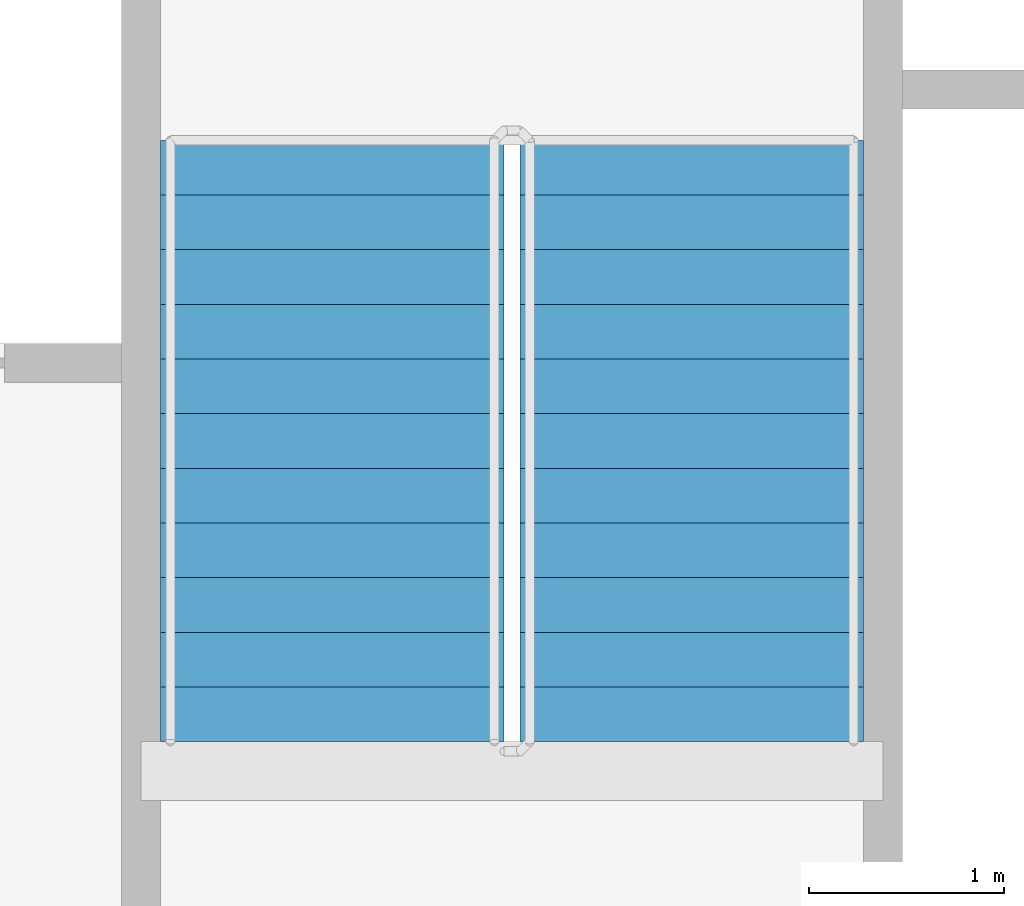
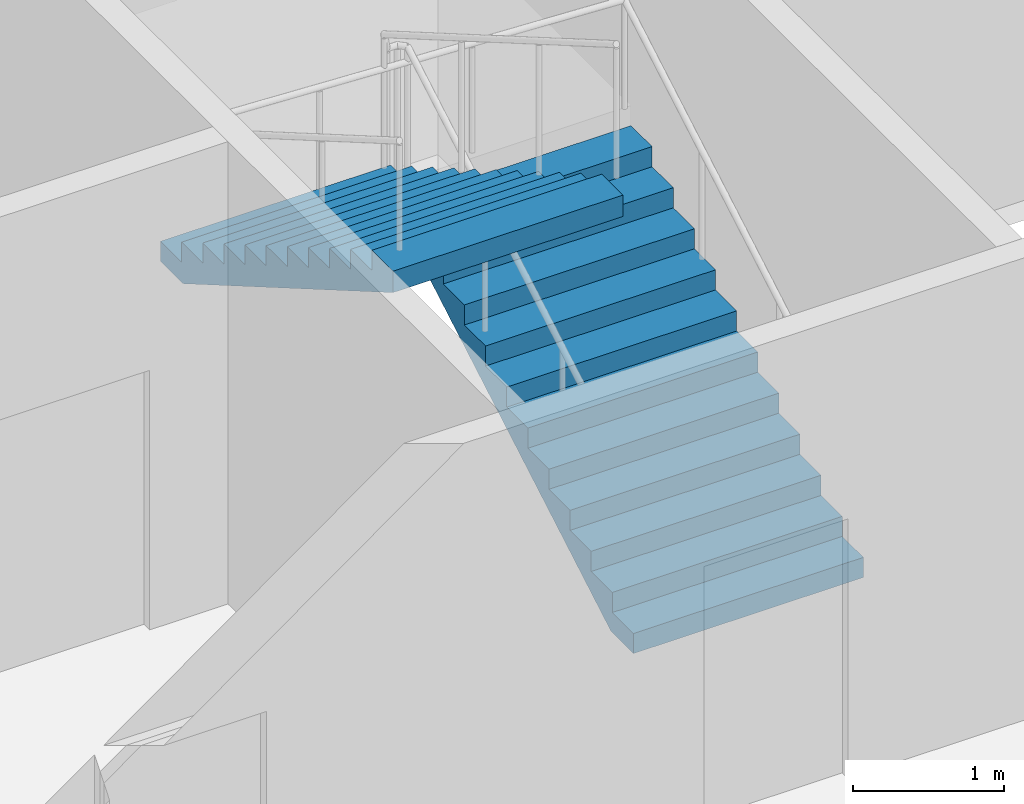
# One storey, part 18 of 23: 2 stair flights, 1 element without a shape of its own.
"""IFC4 building model written with IfcOpenShell, lengths in metres."""

import ifcopenshell
import ifcopenshell.guid

model = None  # the IFC model being written
_history = None  # IfcOwnerHistory: only IFC2X3 demands one
_inside = {}  # id of a spatial element -> (the spatial element, [elements in it])
_under = {}  # id of a project, library or spatial element -> (it, [spatial elements below it])
_declared = {}  # id of a project -> (the project, [libraries it declares])
_typed = {}  # id of a type object -> (the type object, [elements of that type])
_made_of = {}  # id of a material, layer set ... -> (it, [elements and type objects made of it])


def new_model(schema):
    """Start an empty IFC model of exactly this schema.

    Asked for "IFC4X3", IfcOpenShell would pick the latest addendum, in which some entities
    have other attributes; the version numbers below select the first issue.
    IFC2X3 requires an IfcOwnerHistory on every rooted entity: one is made here for all.
    """
    global model, _history
    if schema == "IFC4X3":
        model = ifcopenshell.file(schema_version=(4, 3, 0, 0))
    else:
        model = ifcopenshell.file(schema=schema)
    _inside.clear()
    _under.clear()
    _declared.clear()
    _typed.clear()
    _made_of.clear()
    _history = None
    if model.schema == "IFC2X3":
        org = make("IfcOrganization", Name="unknown")
        user = make(
            "IfcPersonAndOrganization",
            ThePerson=make("IfcPerson", FamilyName="unknown"),
            TheOrganization=org,
        )
        app = make(
            "IfcApplication",
            ApplicationDeveloper=org,
            Version="unknown",
            ApplicationFullName="unknown",
            ApplicationIdentifier="unknown",
        )
        _history = make(
            "IfcOwnerHistory",
            OwningUser=user,
            OwningApplication=app,
            ChangeAction="ADDED",
            CreationDate=0,
        )
    return model


def make(cls, **values):
    """One entity of the class cls with the attributes given. An attribute that is None is left unset."""
    return model.create_entity(
        cls, **{name: value for name, value in values.items() if value is not None}
    )


def rooted(cls, **values):
    """An entity with a GlobalId (a new one), such as an element, a storey or a relation."""
    return make(cls, GlobalId=ifcopenshell.guid.new(), OwnerHistory=_history, **values)


def si_unit(unit_type, name, prefix=None):
    """IfcSIUnit, for example si_unit("LENGTHUNIT", "METRE", prefix="MILLI")."""
    return make("IfcSIUnit", UnitType=unit_type, Prefix=prefix, Name=name)


def assignment(units):
    """IfcUnitAssignment: the units of a project."""
    return None if units is None else make("IfcUnitAssignment", Units=units)


def point(xyz):
    """IfcCartesianPoint."""
    return None if xyz is None else make("IfcCartesianPoint", Coordinates=xyz)


def direction(xyz):
    """IfcDirection."""
    return None if xyz is None else make("IfcDirection", DirectionRatios=xyz)


def frame(location, z_axis=None, x_axis=None):
    """IfcAxis2Placement3D, a coordinate frame: its origin and axes. An axis left out is left unset."""
    return make(
        "IfcAxis2Placement3D",
        Location=point(location),
        Axis=direction(z_axis),
        RefDirection=direction(x_axis),
    )


def origin():
    """The frame at (0, 0, 0) with its axes left unset."""
    return frame((0.0, 0.0, 0.0))


def place(relative_to, where):
    """IfcLocalPlacement: puts the frame where relative to a parent placement (None: the world)."""
    return make(
        "IfcLocalPlacement", PlacementRelTo=relative_to, RelativePlacement=where
    )


def context(
    kind, dimensions, precision=None, world=None, true_north=None, identifier=None
):
    """IfcGeometricRepresentationContext, for example the 3D "Model" context."""
    return make(
        "IfcGeometricRepresentationContext",
        ContextIdentifier=identifier,
        ContextType=kind,
        CoordinateSpaceDimension=dimensions,
        Precision=precision,
        WorldCoordinateSystem=world,
        TrueNorth=true_north,
    )


def subcontext(parent, identifier, kind, view, scale=None):
    """IfcGeometricRepresentationSubContext, for example "Body" below "Model"."""
    return make(
        "IfcGeometricRepresentationSubContext",
        ContextIdentifier=identifier,
        ContextType=kind,
        ParentContext=parent,
        TargetScale=scale,
        TargetView=view,
    )


def project(units=None, contexts=None):
    """IfcProject with its units and contexts."""
    return rooted(
        "IfcProject",
        Name="project",
        RepresentationContexts=contexts,
        UnitsInContext=assignment(units),
    )


def spatial(cls, under=None, at=None, **own):
    """A site, building, storey or space (cls), placed at a placement, below another one or the project."""
    s = rooted(cls, ObjectPlacement=at, **own)
    if under is not None:
        _under.setdefault(under.id(), (under, []))[1].append(s)
    return s


def faces_of(points, faces, orient=None, outer=None):
    """IfcFace entities. A face is a list of loops; a loop is a list of indices into points, from 0.

    orient and outer hold one flag for each loop. By default every Orientation is true, the
    first loop of a face is its IfcFaceOuterBound and the others are IfcFaceBound.
    """
    made = []
    for i, loops in enumerate(faces):
        bounds = []
        for j, loop in enumerate(loops):
            is_outer = j == 0 if outer is None else outer[i][j]
            bounds.append(
                make(
                    "IfcFaceOuterBound" if is_outer else "IfcFaceBound",
                    Bound=make("IfcPolyLoop", Polygon=[points[k] for k in loop]),
                    Orientation=True if orient is None else orient[i][j],
                )
            )
        made.append(make("IfcFace", Bounds=bounds))
    return made


def faceted_brep(points, faces, orient=None, outer=None, voids=None):
    """IfcFacetedBrep: a solid bounded by flat faces; with voids (closed shells), ...WithVoids."""
    shared = [point(p) for p in points]
    hull = make("IfcClosedShell", CfsFaces=faces_of(shared, faces, orient, outer))
    if voids is None:
        return make("IfcFacetedBrep", Outer=hull)
    return make(
        "IfcFacetedBrepWithVoids",
        Outer=hull,
        Voids=[
            make(cls, CfsFaces=faces_of(shared, fs, o, b)) for cls, fs, o, b in voids
        ],
    )


def shape(context_of_items, identifier, shape_type, items):
    """IfcShapeRepresentation: the items that make up one representation, for example the "Body"."""
    return make(
        "IfcShapeRepresentation",
        ContextOfItems=context_of_items,
        RepresentationIdentifier=identifier,
        RepresentationType=shape_type,
        Items=items,
    )


def material(Name=None, Category=None):
    """IfcMaterial."""
    return make("IfcMaterial", Name=Name, Category=Category)


def made_of(thing, what):
    """Note that an element or type object is made of a material, layer set ...; save() writes the relation."""
    if what is not None:
        _made_of.setdefault(what.id(), (what, []))[1].append(thing)
    return thing


def type_object(cls, material=None, **own):
    """A type object (cls), such as IfcWallType, which elements share."""
    return made_of(rooted(cls, **own), material)


def element(
    cls,
    number,
    at=None,
    inside=None,
    cuts=None,
    type_object=None,
    material=None,
    context=None,
    identifier="Body",
    shape_type=None,
    held_by="IfcProductDefinitionShape",
    body=None,
    shapes=None,
    **own,
):
    """One element of the class cls, such as IfcWall. Its Tag is "e" and its number.

    at: its placement. inside: the storey or other place that contains it. cuts: it is an
    opening in that element (IfcRelVoidsElement). A single representation is given by context,
    identifier, shape_type and body (its items); several are given by shapes. held_by: the class
    of the entity that holds the representations. save() writes the other relations.
    """
    e = rooted(cls, Tag="e%d" % number, ObjectPlacement=at, **own)
    if body is not None:
        shapes = [shape(context, identifier, shape_type, body)]
    if shapes is not None:
        e.Representation = make(held_by, Representations=shapes)
    if inside is not None:
        _inside.setdefault(inside.id(), (inside, []))[1].append(e)
    if cuts is not None:
        rooted(
            "IfcRelVoidsElement", RelatingBuildingElement=cuts, RelatedOpeningElement=e
        )
    if type_object is not None:
        _typed.setdefault(type_object.id(), (type_object, []))[1].append(e)
    return made_of(e, material)


def aggregate(whole, parts):
    """IfcRelAggregates: a whole, such as a stair, and the parts it consists of."""
    return rooted("IfcRelAggregates", RelatingObject=whole, RelatedObjects=parts)


def save(model, path):
    """Write the relations noted so far, then the file.

    IfcRelAggregates (storeys below a building ...), IfcRelContainedInSpatialStructure (elements
    in a storey), IfcRelDefinesByType, IfcRelAssociatesMaterial and IfcRelDeclares: one each for
    every whole, place, type object, material and project.
    """
    for whole, parts in _under.values():
        aggregate(whole, parts)
    for where, things in _inside.values():
        rooted(
            "IfcRelContainedInSpatialStructure",
            RelatedElements=things,
            RelatingStructure=where,
        )
    for kind, things in _typed.values():
        rooted("IfcRelDefinesByType", RelatedObjects=things, RelatingType=kind)
    for what, things in _made_of.values():
        rooted("IfcRelAssociatesMaterial", RelatedObjects=things, RelatingMaterial=what)
    for by, libraries in _declared.values():
        rooted("IfcRelDeclares", RelatingContext=by, RelatedDefinitions=libraries)
    model.write(path)


model = new_model("IFC4")

# Units and contexts
model_context = context("Model", 3, precision=1e-05, world=origin(), true_north=direction((0.0, 1.0)))
body_context = subcontext(model_context, "Body", "Model", "MODEL_VIEW")
ifc_project = project(units=[si_unit("LENGTHUNIT", "METRE"), si_unit("AREAUNIT", "SQUARE_METRE"), si_unit("VOLUMEUNIT", "CUBIC_METRE"), si_unit("PLANEANGLEUNIT", "RADIAN"), si_unit("MASSUNIT", "GRAM", prefix="KILO")], contexts=[model_context])

# Site, building, storey
site_placement = place(None, origin())
site = spatial("IfcSite", under=ifc_project, at=site_placement, CompositionType="ELEMENT")
building_placement = place(site_placement, origin())
building = spatial("IfcBuilding", under=site, at=building_placement, Name="Tarsis Ring Headquarters", CompositionType="ELEMENT")
storey_placement = place(building_placement, frame((0.0, 0.0, 323.60009765625)))
storey = spatial("IfcBuildingStorey", under=building, at=storey_placement, Name="L76", CompositionType="ELEMENT", Elevation=323.60009765625)

# Stair, stair flights
ifc_material_1 = material(Name="Core stair 1760")
stair_type = type_object("IfcStairType", Name="Core stair 1760", PredefinedType="HALF_TURN_STAIR", material=ifc_material_1)
stair_placement = place(storey_placement, origin())
stair = element("IfcStair", 1, at=stair_placement, inside=storey, type_object=stair_type, Name="L76 Exit stair B", PredefinedType="HALF_TURN_STAIR")
ifc_material_2 = material(Name="Concrete C40/50", Category="concrete")
stair_flight_type = type_object("IfcStairFlightType", Name="Core stair flight 1760", PredefinedType="STRAIGHT", material=ifc_material_2)
stair_flight_1_placement = place(storey_placement, frame((5.419921875, 3.659912109375, 0.0), z_axis=(0.0, 0.0, 1.0), x_axis=(0.0, 1.0, 0.0)))
stair_flight_1 = element("IfcStairFlight", 2, at=stair_flight_1_placement, type_object=stair_flight_type, Name="Stair ST2 flight 1", NumberOfRisers=12, NumberOfTreads=11, PredefinedType="STRAIGHT", RiserHeight=0.1625, TreadLength=0.28, context=body_context, shape_type="Brep", body=[
    faceted_brep([(0.0, 0.8798828125, 0.0), (0.0, 0.8798828125, 0.16259765625), (0.280029296875, 0.8798828125, 0.16259765625), (0.280029296875, 0.8798828125, 0.324951171875), (0.56005859375, 0.8798828125, 0.324951171875), (0.56005859375, 0.8798828125, 0.487548828125), (0.840087890625, 0.8798828125, 0.487548828125), (0.840087890625, 0.8798828125, 0.64990234375), (1.1201171875, 0.8798828125, 0.64990234375), (1.1201171875, 0.8798828125, 0.8125), (1.39990234375, 0.8798828125, 0.8125), (1.39990234375, 0.8798828125, 0.97509765625), (1.679931640625, 0.8798828125, 0.97509765625), (1.679931640625, 0.8798828125, 1.137451171875), (1.9599609375, 0.8798828125, 1.137451171875), (1.9599609375, 0.8798828125, 1.300048828125), (2.239990234375, 0.8798828125, 1.300048828125), (2.239990234375, 0.8798828125, 1.46240234375), (2.52001953125, 0.8798828125, 1.46240234375), (2.52001953125, 0.8798828125, 1.625), (2.800048828125, 0.8798828125, 1.625), (2.800048828125, 0.8798828125, 1.78759765625), (3.080078125, 0.8798828125, 1.78759765625), (3.080078125, 0.8798828125, 1.6142578125), (0.298583984375, 0.8798828125, 0.0), (0.298583984375, -0.8798828125, 0.0), (3.080078125, -0.8798828125, 1.6142578125), (3.080078125, -0.8798828125, 1.78759765625), (2.800048828125, -0.8798828125, 1.78759765625), (2.800048828125, -0.8798828125, 1.625), (2.52001953125, -0.8798828125, 1.625), (2.52001953125, -0.8798828125, 1.46240234375), (2.239990234375, -0.8798828125, 1.46240234375), (2.239990234375, -0.8798828125, 1.300048828125), (1.9599609375, -0.8798828125, 1.300048828125), (1.9599609375, -0.8798828125, 1.137451171875), (1.679931640625, -0.8798828125, 1.137451171875), (1.679931640625, -0.8798828125, 0.97509765625), (1.39990234375, -0.8798828125, 0.97509765625), (1.39990234375, -0.8798828125, 0.8125), (1.1201171875, -0.8798828125, 0.8125), (1.1201171875, -0.8798828125, 0.64990234375), (0.840087890625, -0.8798828125, 0.64990234375), (0.840087890625, -0.8798828125, 0.487548828125), (0.56005859375, -0.8798828125, 0.487548828125), (0.56005859375, -0.8798828125, 0.324951171875), (0.280029296875, -0.8798828125, 0.324951171875), (0.280029296875, -0.8798828125, 0.16259765625), (0.0, -0.8798828125, 0.16259765625), (0.0, -0.8798828125, 0.0), (0.0, -0.43994140625, 0.16259765625), (0.0, -0.43994140625, 0.0), (0.0, 0.0, 0.16259765625), (0.0, 0.0, 0.0), (0.0, 0.43994140625, 0.16259765625), (0.0, 0.43994140625, 0.0), (0.280029296875, -0.43994140625, 0.16259765625), (0.280029296875, 0.0, 0.16259765625), (0.280029296875, 0.43994140625, 0.16259765625), (0.280029296875, -0.43994140625, 0.324951171875), (0.280029296875, 0.0, 0.324951171875), (0.280029296875, 0.43994140625, 0.324951171875), (0.56005859375, -0.43994140625, 0.324951171875), (0.56005859375, 0.0, 0.324951171875), (0.56005859375, 0.43994140625, 0.324951171875), (0.56005859375, -0.43994140625, 0.487548828125), (0.56005859375, 0.0, 0.487548828125), (0.56005859375, 0.43994140625, 0.487548828125), (0.840087890625, -0.43994140625, 0.487548828125), (0.840087890625, 0.0, 0.487548828125), (0.840087890625, 0.43994140625, 0.487548828125), (0.840087890625, -0.43994140625, 0.64990234375), (0.840087890625, 0.0, 0.64990234375), (0.840087890625, 0.43994140625, 0.64990234375), (1.1201171875, -0.43994140625, 0.64990234375), (1.1201171875, 0.0, 0.64990234375), (1.1201171875, 0.43994140625, 0.64990234375), (1.1201171875, -0.43994140625, 0.8125), (1.1201171875, 0.0, 0.8125), (1.1201171875, 0.43994140625, 0.8125), (1.39990234375, -0.43994140625, 0.8125), (1.39990234375, 0.0, 0.8125), (1.39990234375, 0.43994140625, 0.8125), (1.39990234375, -0.43994140625, 0.97509765625), (1.39990234375, 0.0, 0.97509765625), (1.39990234375, 0.43994140625, 0.97509765625), (1.679931640625, -0.43994140625, 0.97509765625), (1.679931640625, 0.0, 0.97509765625), (1.679931640625, 0.43994140625, 0.97509765625), (1.679931640625, -0.43994140625, 1.137451171875), (1.679931640625, 0.0, 1.137451171875), (1.679931640625, 0.43994140625, 1.137451171875), (1.9599609375, -0.43994140625, 1.137451171875), (1.9599609375, 0.0, 1.137451171875), (1.9599609375, 0.43994140625, 1.137451171875), (1.9599609375, -0.43994140625, 1.300048828125), (1.9599609375, 0.0, 1.300048828125), (1.9599609375, 0.43994140625, 1.300048828125), (2.239990234375, -0.43994140625, 1.300048828125), (2.239990234375, 0.0, 1.300048828125), (2.239990234375, 0.43994140625, 1.300048828125), (2.239990234375, -0.43994140625, 1.46240234375), (2.239990234375, 0.0, 1.46240234375), (2.239990234375, 0.43994140625, 1.46240234375), (2.52001953125, -0.43994140625, 1.46240234375), (2.52001953125, 0.0, 1.46240234375), (2.52001953125, 0.43994140625, 1.46240234375), (2.52001953125, -0.43994140625, 1.625), (2.52001953125, 0.0, 1.625), (2.52001953125, 0.43994140625, 1.625), (2.800048828125, -0.43994140625, 1.625), (2.800048828125, 0.0, 1.625), (2.800048828125, 0.43994140625, 1.625), (2.800048828125, -0.43994140625, 1.78759765625), (2.800048828125, 0.0, 1.78759765625), (2.800048828125, 0.43994140625, 1.78759765625), (3.080078125, -0.43994140625, 1.78759765625), (3.080078125, 0.0, 1.78759765625), (3.080078125, 0.43994140625, 1.78759765625), (3.080078125, -0.43994140625, 1.6142578125), (3.080078125, 0.0, 1.6142578125), (3.080078125, 0.43994140625, 1.6142578125), (0.298583984375, -0.43994140625, 0.0), (0.298583984375, 0.0, 0.0), (0.298583984375, 0.43994140625, 0.0)], [[[0, 1, 2, 3, 4, 5, 6, 7, 8, 9, 10, 11, 12, 13, 14, 15, 16, 17, 18, 19, 20, 21, 22, 23, 24]], [[25, 26, 27, 28, 29, 30, 31, 32, 33, 34, 35, 36, 37, 38, 39, 40, 41, 42, 43, 44, 45, 46, 47, 48, 49]], [[49, 48, 50, 51]], [[51, 50, 52, 53]], [[53, 52, 54, 55]], [[55, 54, 1, 0]], [[48, 47, 56, 50]], [[50, 56, 57, 52]], [[52, 57, 58, 54]], [[54, 58, 2, 1]], [[47, 46, 59, 56]], [[56, 59, 60, 57]], [[57, 60, 61, 58]], [[58, 61, 3, 2]], [[46, 45, 62, 59]], [[59, 62, 63, 60]], [[60, 63, 64, 61]], [[61, 64, 4, 3]], [[45, 44, 65, 62]], [[62, 65, 66, 63]], [[63, 66, 67, 64]], [[64, 67, 5, 4]], [[44, 43, 68, 65]], [[65, 68, 69, 66]], [[66, 69, 70, 67]], [[67, 70, 6, 5]], [[43, 42, 71, 68]], [[68, 71, 72, 69]], [[69, 72, 73, 70]], [[70, 73, 7, 6]], [[42, 41, 74, 71]], [[71, 74, 75, 72]], [[72, 75, 76, 73]], [[73, 76, 8, 7]], [[41, 40, 77, 74]], [[74, 77, 78, 75]], [[75, 78, 79, 76]], [[76, 79, 9, 8]], [[40, 39, 80, 77]], [[77, 80, 81, 78]], [[78, 81, 82, 79]], [[79, 82, 10, 9]], [[39, 38, 83, 80]], [[80, 83, 84, 81]], [[81, 84, 85, 82]], [[82, 85, 11, 10]], [[38, 37, 86, 83]], [[83, 86, 87, 84]], [[84, 87, 88, 85]], [[85, 88, 12, 11]], [[37, 36, 89, 86]], [[86, 89, 90, 87]], [[87, 90, 91, 88]], [[88, 91, 13, 12]], [[36, 35, 92, 89]], [[89, 92, 93, 90]], [[90, 93, 94, 91]], [[91, 94, 14, 13]], [[35, 34, 95, 92]], [[92, 95, 96, 93]], [[93, 96, 97, 94]], [[94, 97, 15, 14]], [[34, 33, 98, 95]], [[95, 98, 99, 96]], [[96, 99, 100, 97]], [[97, 100, 16, 15]], [[33, 32, 101, 98]], [[98, 101, 102, 99]], [[99, 102, 103, 100]], [[100, 103, 17, 16]], [[32, 31, 104, 101]], [[101, 104, 105, 102]], [[102, 105, 106, 103]], [[103, 106, 18, 17]], [[31, 30, 107, 104]], [[104, 107, 108, 105]], [[105, 108, 109, 106]], [[106, 109, 19, 18]], [[30, 29, 110, 107]], [[107, 110, 111, 108]], [[108, 111, 112, 109]], [[109, 112, 20, 19]], [[29, 28, 113, 110]], [[110, 113, 114, 111]], [[111, 114, 115, 112]], [[112, 115, 21, 20]], [[28, 27, 116, 113]], [[113, 116, 117, 114]], [[114, 117, 118, 115]], [[115, 118, 22, 21]], [[27, 26, 119, 116]], [[116, 119, 120, 117]], [[117, 120, 121, 118]], [[118, 121, 23, 22]], [[26, 25, 122, 119]], [[119, 122, 123, 120]], [[120, 123, 124, 121]], [[121, 124, 24, 23]], [[25, 49, 51, 122]], [[122, 51, 53, 123]], [[123, 53, 55, 124]], [[124, 55, 0, 24]]]),
])
stair_flight_2_placement = place(storey_placement, frame((3.580078125, 6.739990234375, 1.949951171875), z_axis=(0.0, 0.0, 1.0), x_axis=(0.0, -1.0, 0.0)))
stair_flight_2 = element("IfcStairFlight", 3, at=stair_flight_2_placement, type_object=stair_flight_type, Name="Stair ST2 flight 2", NumberOfRisers=12, NumberOfTreads=11, PredefinedType="STRAIGHT", RiserHeight=0.1625, TreadLength=0.28, context=body_context, shape_type="Brep", body=[
    faceted_brep([(0.0, 0.8798828125, 0.0), (0.0, 0.8798828125, 0.16259765625), (0.280029296875, 0.8798828125, 0.16259765625), (0.280029296875, 0.8798828125, 0.324951171875), (0.56005859375, 0.8798828125, 0.324951171875), (0.56005859375, 0.8798828125, 0.487548828125), (0.840087890625, 0.8798828125, 0.487548828125), (0.840087890625, 0.8798828125, 0.64990234375), (1.1201171875, 0.8798828125, 0.64990234375), (1.1201171875, 0.8798828125, 0.8125), (1.39990234375, 0.8798828125, 0.8125), (1.39990234375, 0.8798828125, 0.97509765625), (1.679931640625, 0.8798828125, 0.97509765625), (1.679931640625, 0.8798828125, 1.137451171875), (1.9599609375, 0.8798828125, 1.137451171875), (1.9599609375, 0.8798828125, 1.300048828125), (2.239990234375, 0.8798828125, 1.300048828125), (2.239990234375, 0.8798828125, 1.46240234375), (2.52001953125, 0.8798828125, 1.46240234375), (2.52001953125, 0.8798828125, 1.625), (2.800048828125, 0.8798828125, 1.625), (2.800048828125, 0.8798828125, 1.78759765625), (3.080078125, 0.8798828125, 1.78759765625), (3.080078125, 0.8798828125, 1.6142578125), (0.298583984375, 0.8798828125, 0.0), (0.298583984375, -0.8798828125, 0.0), (3.080078125, -0.8798828125, 1.6142578125), (3.080078125, -0.8798828125, 1.78759765625), (2.800048828125, -0.8798828125, 1.78759765625), (2.800048828125, -0.8798828125, 1.625), (2.52001953125, -0.8798828125, 1.625), (2.52001953125, -0.8798828125, 1.46240234375), (2.239990234375, -0.8798828125, 1.46240234375), (2.239990234375, -0.8798828125, 1.300048828125), (1.9599609375, -0.8798828125, 1.300048828125), (1.9599609375, -0.8798828125, 1.137451171875), (1.679931640625, -0.8798828125, 1.137451171875), (1.679931640625, -0.8798828125, 0.97509765625), (1.39990234375, -0.8798828125, 0.97509765625), (1.39990234375, -0.8798828125, 0.8125), (1.1201171875, -0.8798828125, 0.8125), (1.1201171875, -0.8798828125, 0.64990234375), (0.840087890625, -0.8798828125, 0.64990234375), (0.840087890625, -0.8798828125, 0.487548828125), (0.56005859375, -0.8798828125, 0.487548828125), (0.56005859375, -0.8798828125, 0.324951171875), (0.280029296875, -0.8798828125, 0.324951171875), (0.280029296875, -0.8798828125, 0.16259765625), (0.0, -0.8798828125, 0.16259765625), (0.0, -0.8798828125, 0.0), (0.0, -0.43994140625, 0.16259765625), (0.0, -0.43994140625, 0.0), (0.0, 0.0, 0.16259765625), (0.0, 0.0, 0.0), (0.0, 0.43994140625, 0.16259765625), (0.0, 0.43994140625, 0.0), (0.280029296875, -0.43994140625, 0.16259765625), (0.280029296875, 0.0, 0.16259765625), (0.280029296875, 0.43994140625, 0.16259765625), (0.280029296875, -0.43994140625, 0.324951171875), (0.280029296875, 0.0, 0.324951171875), (0.280029296875, 0.43994140625, 0.324951171875), (0.56005859375, -0.43994140625, 0.324951171875), (0.56005859375, 0.0, 0.324951171875), (0.56005859375, 0.43994140625, 0.324951171875), (0.56005859375, -0.43994140625, 0.487548828125), (0.56005859375, 0.0, 0.487548828125), (0.56005859375, 0.43994140625, 0.487548828125), (0.840087890625, -0.43994140625, 0.487548828125), (0.840087890625, 0.0, 0.487548828125), (0.840087890625, 0.43994140625, 0.487548828125), (0.840087890625, -0.43994140625, 0.64990234375), (0.840087890625, 0.0, 0.64990234375), (0.840087890625, 0.43994140625, 0.64990234375), (1.1201171875, -0.43994140625, 0.64990234375), (1.1201171875, 0.0, 0.64990234375), (1.1201171875, 0.43994140625, 0.64990234375), (1.1201171875, -0.43994140625, 0.8125), (1.1201171875, 0.0, 0.8125), (1.1201171875, 0.43994140625, 0.8125), (1.39990234375, -0.43994140625, 0.8125), (1.39990234375, 0.0, 0.8125), (1.39990234375, 0.43994140625, 0.8125), (1.39990234375, -0.43994140625, 0.97509765625), (1.39990234375, 0.0, 0.97509765625), (1.39990234375, 0.43994140625, 0.97509765625), (1.679931640625, -0.43994140625, 0.97509765625), (1.679931640625, 0.0, 0.97509765625), (1.679931640625, 0.43994140625, 0.97509765625), (1.679931640625, -0.43994140625, 1.137451171875), (1.679931640625, 0.0, 1.137451171875), (1.679931640625, 0.43994140625, 1.137451171875), (1.9599609375, -0.43994140625, 1.137451171875), (1.9599609375, 0.0, 1.137451171875), (1.9599609375, 0.43994140625, 1.137451171875), (1.9599609375, -0.43994140625, 1.300048828125), (1.9599609375, 0.0, 1.300048828125), (1.9599609375, 0.43994140625, 1.300048828125), (2.239990234375, -0.43994140625, 1.300048828125), (2.239990234375, 0.0, 1.300048828125), (2.239990234375, 0.43994140625, 1.300048828125), (2.239990234375, -0.43994140625, 1.46240234375), (2.239990234375, 0.0, 1.46240234375), (2.239990234375, 0.43994140625, 1.46240234375), (2.52001953125, -0.43994140625, 1.46240234375), (2.52001953125, 0.0, 1.46240234375), (2.52001953125, 0.43994140625, 1.46240234375), (2.52001953125, -0.43994140625, 1.625), (2.52001953125, 0.0, 1.625), (2.52001953125, 0.43994140625, 1.625), (2.800048828125, -0.43994140625, 1.625), (2.800048828125, 0.0, 1.625), (2.800048828125, 0.43994140625, 1.625), (2.800048828125, -0.43994140625, 1.78759765625), (2.800048828125, 0.0, 1.78759765625), (2.800048828125, 0.43994140625, 1.78759765625), (3.080078125, -0.43994140625, 1.78759765625), (3.080078125, 0.0, 1.78759765625), (3.080078125, 0.43994140625, 1.78759765625), (3.080078125, -0.43994140625, 1.6142578125), (3.080078125, 0.0, 1.6142578125), (3.080078125, 0.43994140625, 1.6142578125), (0.298583984375, -0.43994140625, 0.0), (0.298583984375, 0.0, 0.0), (0.298583984375, 0.43994140625, 0.0)], [[[0, 1, 2, 3, 4, 5, 6, 7, 8, 9, 10, 11, 12, 13, 14, 15, 16, 17, 18, 19, 20, 21, 22, 23, 24]], [[25, 26, 27, 28, 29, 30, 31, 32, 33, 34, 35, 36, 37, 38, 39, 40, 41, 42, 43, 44, 45, 46, 47, 48, 49]], [[49, 48, 50, 51]], [[51, 50, 52, 53]], [[53, 52, 54, 55]], [[55, 54, 1, 0]], [[48, 47, 56, 50]], [[50, 56, 57, 52]], [[52, 57, 58, 54]], [[54, 58, 2, 1]], [[47, 46, 59, 56]], [[56, 59, 60, 57]], [[57, 60, 61, 58]], [[58, 61, 3, 2]], [[46, 45, 62, 59]], [[59, 62, 63, 60]], [[60, 63, 64, 61]], [[61, 64, 4, 3]], [[45, 44, 65, 62]], [[62, 65, 66, 63]], [[63, 66, 67, 64]], [[64, 67, 5, 4]], [[44, 43, 68, 65]], [[65, 68, 69, 66]], [[66, 69, 70, 67]], [[67, 70, 6, 5]], [[43, 42, 71, 68]], [[68, 71, 72, 69]], [[69, 72, 73, 70]], [[70, 73, 7, 6]], [[42, 41, 74, 71]], [[71, 74, 75, 72]], [[72, 75, 76, 73]], [[73, 76, 8, 7]], [[41, 40, 77, 74]], [[74, 77, 78, 75]], [[75, 78, 79, 76]], [[76, 79, 9, 8]], [[40, 39, 80, 77]], [[77, 80, 81, 78]], [[78, 81, 82, 79]], [[79, 82, 10, 9]], [[39, 38, 83, 80]], [[80, 83, 84, 81]], [[81, 84, 85, 82]], [[82, 85, 11, 10]], [[38, 37, 86, 83]], [[83, 86, 87, 84]], [[84, 87, 88, 85]], [[85, 88, 12, 11]], [[37, 36, 89, 86]], [[86, 89, 90, 87]], [[87, 90, 91, 88]], [[88, 91, 13, 12]], [[36, 35, 92, 89]], [[89, 92, 93, 90]], [[90, 93, 94, 91]], [[91, 94, 14, 13]], [[35, 34, 95, 92]], [[92, 95, 96, 93]], [[93, 96, 97, 94]], [[94, 97, 15, 14]], [[34, 33, 98, 95]], [[95, 98, 99, 96]], [[96, 99, 100, 97]], [[97, 100, 16, 15]], [[33, 32, 101, 98]], [[98, 101, 102, 99]], [[99, 102, 103, 100]], [[100, 103, 17, 16]], [[32, 31, 104, 101]], [[101, 104, 105, 102]], [[102, 105, 106, 103]], [[103, 106, 18, 17]], [[31, 30, 107, 104]], [[104, 107, 108, 105]], [[105, 108, 109, 106]], [[106, 109, 19, 18]], [[30, 29, 110, 107]], [[107, 110, 111, 108]], [[108, 111, 112, 109]], [[109, 112, 20, 19]], [[29, 28, 113, 110]], [[110, 113, 114, 111]], [[111, 114, 115, 112]], [[112, 115, 21, 20]], [[28, 27, 116, 113]], [[113, 116, 117, 114]], [[114, 117, 118, 115]], [[115, 118, 22, 21]], [[27, 26, 119, 116]], [[116, 119, 120, 117]], [[117, 120, 121, 118]], [[118, 121, 23, 22]], [[26, 25, 122, 119]], [[119, 122, 123, 120]], [[120, 123, 124, 121]], [[121, 124, 24, 23]], [[25, 49, 51, 122]], [[122, 51, 53, 123]], [[123, 53, 55, 124]], [[124, 55, 0, 24]]]),
])
aggregate(stair, [stair_flight_1, stair_flight_2])

save(model, "model.ifc")
